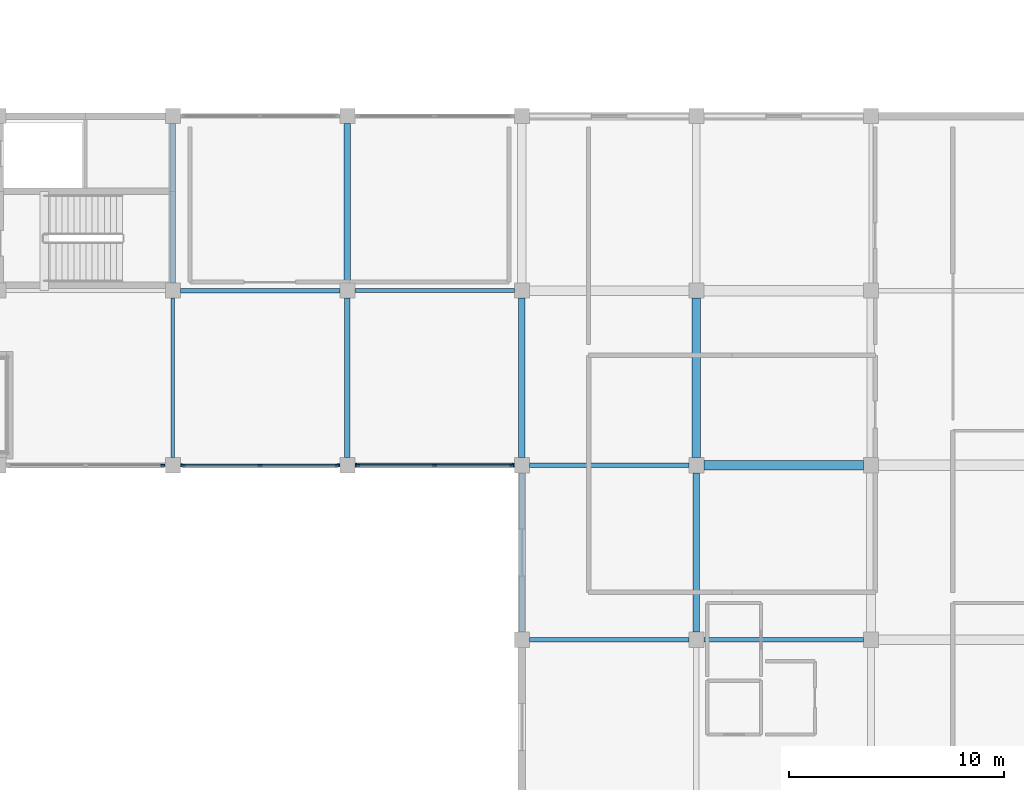
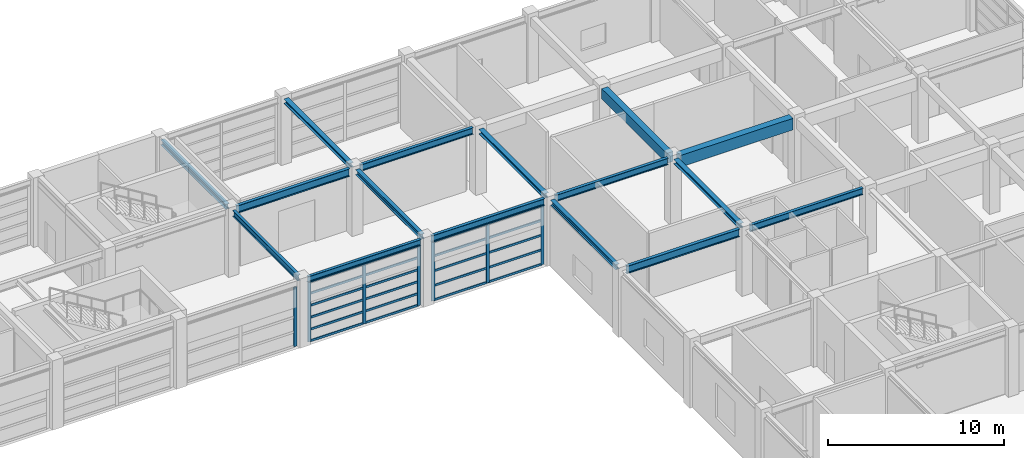
# One storey, part 27 of 56: 29 members, 16 beams, 3 elements without a shape of their own.
"""IFC4 building model written with IfcOpenShell, lengths in metres."""

from ifc_helpers import new_model, si_unit, direction, frame, origin, origin_2d, place, context, subcontext, project, spatial, rectangle, i_section, extrude, material, material_profile, profile_set, type_object, element, aggregate, save


model = new_model("IFC4")

# Units and contexts
model_context = context("Model", 3, precision=1e-05, world=origin(), true_north=direction((0.0, 1.0)))
body_context = subcontext(model_context, "Body", "Model", "MODEL_VIEW")
ifc_project = project(units=[si_unit("LENGTHUNIT", "METRE"), si_unit("AREAUNIT", "SQUARE_METRE"), si_unit("VOLUMEUNIT", "CUBIC_METRE"), si_unit("PLANEANGLEUNIT", "RADIAN"), si_unit("MASSUNIT", "GRAM", prefix="KILO")], contexts=[model_context])

# Site, building, storey
site_placement = place(None, origin())
site = spatial("IfcSite", under=ifc_project, at=site_placement, CompositionType="ELEMENT")
building_placement = place(site_placement, origin())
building = spatial("IfcBuilding", under=site, at=building_placement, Name="Parian Resonance Hall", CompositionType="ELEMENT")
storey_placement = place(building_placement, frame((0.0, 0.0, 5.39990234375)))
storey = spatial("IfcBuildingStorey", under=building, at=storey_placement, Name="L01", CompositionType="ELEMENT", Elevation=5.39990234375)

# Beams
ifc_material_1 = material(Name="Concrete C40/50", Category="concrete")
ifc_material_profile_1 = material_profile(ifc_material_1, rectangle(XDim=0.39990234375, YDim=0.699951171875, at=origin_2d()), Name="RC-BM-400x700")
ifc_profile_set_1 = profile_set([ifc_material_profile_1], Name="Concrete C40/50")
beam_type_1 = type_object("IfcBeamType", Name="BM-RC400x700", PredefinedType="BEAM", material=ifc_profile_set_1)
beam_1_placement = place(storey_placement, frame((121.5, 73.25, 4.18017578125), z_axis=(0.0, 1.0, 0.0), x_axis=(-1.0, 0.0, 0.0)))
element("IfcBeam", 1, at=beam_1_placement, inside=storey, type_object=beam_type_1, Name="GY-L01-0641", PredefinedType="BEAM", context=body_context, shape_type="SweptSolid", body=[
    extrude(rectangle(XDim=0.39990234375, YDim=0.699951171875, at=origin_2d()), origin(), (0.0, 0.0, 1.0), 7.39990234375),
])
ifc_material_2 = material(Name="Concrete C40/50", Category="concrete")
ifc_material_profile_2 = material_profile(ifc_material_2, rectangle(XDim=0.449951171875, YDim=0.800048828125, at=origin_2d()), Name="RC-BM-450x800")
ifc_profile_set_2 = profile_set([ifc_material_profile_2], Name="Concrete C40/50")
beam_type_2 = type_object("IfcBeamType", Name="BM-RC450x800", PredefinedType="USERDEFINED", material=ifc_profile_set_2)
beam_2_placement = place(storey_placement, frame((121.85009765625, 72.89990234375, 4.130126953125), z_axis=(1.0, 0.0, 0.0), x_axis=(0.0, 1.0, 0.0)))
element("IfcBeam", 2, at=beam_2_placement, inside=storey, type_object=beam_type_2, Name="GX-L01-0578", ObjectType="GIRDER", PredefinedType="USERDEFINED", context=body_context, shape_type="SweptSolid", body=[
    extrude(rectangle(XDim=0.449951171875, YDim=0.800048828125, at=origin_2d()), origin(), (0.0, 0.0, 1.0), 7.39990234375),
])
ifc_material_3 = material(Name="Steel S355", Category="steel")
ifc_material_profile_3 = material_profile(ifc_material_3, i_section(OverallWidth=0.304931640625, OverallDepth=0.30810546875, WebThickness=0.010009765625, FlangeThickness=0.015380859375, FilletRadius=0.01513671875, at=origin_2d()), Name="W310x97")
ifc_profile_set_3 = profile_set([ifc_material_profile_3], Name="Steel S355")
beam_type_3 = type_object("IfcBeamType", Name="BM-W310x97", PredefinedType="BEAM", material=ifc_profile_set_3)
for number, where, z_axis, x_axis, name in (
    (3, (105.300048828125, 81.35009765625, 4.406005859375), (0.0, 1.0, 0.0), (-1.0, 0.0, 0.0), "GY-L01-0622"),
    (4, (113.39990234375, 73.25, 4.3759765625), (0.0, 1.0, 0.0), (-1.0, 0.0, 0.0), "GY-L01-0632"),
):
    element("IfcBeam", number, at=place(storey_placement, frame(where, z_axis=z_axis, x_axis=x_axis)), inside=storey, type_object=beam_type_3, Name=name, PredefinedType="BEAM", context=body_context, shape_type="SweptSolid", body=[
        extrude(i_section(OverallWidth=0.304931640625, OverallDepth=0.30810546875, WebThickness=0.010009765625, FlangeThickness=0.015380859375, FilletRadius=0.01513671875, at=origin_2d()), origin(), (0.0, 0.0, 1.0), 7.39990234375),
    ])
beam_3_placement = place(storey_placement, frame((121.5, 65.14990234375, 4.3759765625), z_axis=(0.0, 1.0, 0.0), x_axis=(-1.0, 0.0, 0.0)))
element("IfcBeam", 5, at=beam_3_placement, inside=storey, type_object=beam_type_3, Name="GY-L01-0640", PredefinedType="BEAM", context=body_context, shape_type="SweptSolid", body=[
    extrude(i_section(OverallWidth=0.304931640625, OverallDepth=0.30810546875, WebThickness=0.010009765625, FlangeThickness=0.015380859375, FilletRadius=0.01513671875, at=origin_2d()), origin(), (0.0, 0.0, 1.0), 7.400146484375),
])
ifc_material_4 = material(Name="Steel S355", Category="steel")
ifc_material_profile_4 = material_profile(ifc_material_4, i_section(OverallWidth=0.2548828125, OverallDepth=0.35693359375, WebThickness=0.010498046875, FlangeThickness=0.018310546875, FilletRadius=0.01513671875, at=origin_2d()), Name="W360x101")
ifc_profile_set_4 = profile_set([ifc_material_profile_4], Name="Steel S355")
beam_type_4 = type_object("IfcBeamType", Name="BM-W360x101", PredefinedType="SPANDREL", material=ifc_profile_set_4)
for number, where, z_axis, x_axis, name in (
    (6, (97.199951171875, 81.35009765625, 4.381591796875), (0.0, 1.0, 0.0), (-1.0, 0.0, 0.0), "GY-L01-0617"),
    (7, (105.300048828125, 73.25, 4.381591796875), (0.0, 1.0, 0.0), (-1.0, 0.0, 0.0), "GY-L01-0621"),
):
    element("IfcBeam", number, at=place(storey_placement, frame(where, z_axis=z_axis, x_axis=x_axis)), inside=storey, type_object=beam_type_4, Name=name, PredefinedType="SPANDREL", context=body_context, shape_type="SweptSolid", body=[
        extrude(i_section(OverallWidth=0.2548828125, OverallDepth=0.35693359375, WebThickness=0.010498046875, FlangeThickness=0.018310546875, FilletRadius=0.01513671875, at=origin_2d()), origin(), (0.0, 0.0, 1.0), 7.39990234375),
    ])
beam_4_placement = place(storey_placement, frame((113.39990234375, 65.14990234375, 4.3515625), z_axis=(0.0, 1.0, 0.0), x_axis=(-1.0, 0.0, 0.0)))
element("IfcBeam", 8, at=beam_4_placement, inside=storey, type_object=beam_type_4, Name="GY-L01-0631", PredefinedType="SPANDREL", context=body_context, shape_type="SweptSolid", body=[
    extrude(i_section(OverallWidth=0.2548828125, OverallDepth=0.35693359375, WebThickness=0.010498046875, FlangeThickness=0.018310546875, FilletRadius=0.01513671875, at=origin_2d()), origin(), (0.0, 0.0, 1.0), 7.400146484375),
])
ifc_material_5 = material(Name="Steel S355", Category="steel")
ifc_material_profile_5 = material_profile(ifc_material_5, i_section(OverallWidth=0.180908203125, OverallDepth=0.4169921875, WebThickness=0.010986328125, FlangeThickness=0.018310546875, FilletRadius=0.01513671875, at=origin_2d()), Name="W410x85")
ifc_profile_set_5 = profile_set([ifc_material_profile_5], Name="Steel S355")
beam_type_5 = type_object("IfcBeamType", Name="BM-W410x85", PredefinedType="SPANDREL", material=ifc_profile_set_5)
for number, where, z_axis, x_axis, name in (
    (9, (97.550048828125, 72.89990234375, 4.3515625), (1.0, 0.0, 0.0), (0.0, 1.0, 0.0), "GX-L01-0555"),
    (10, (97.199951171875, 73.25, 4.3515625), (0.0, 1.0, 0.0), (-1.0, 0.0, 0.0), "GY-L01-0616"),
):
    element("IfcBeam", number, at=place(storey_placement, frame(where, z_axis=z_axis, x_axis=x_axis)), inside=storey, type_object=beam_type_5, Name=name, PredefinedType="SPANDREL", context=body_context, shape_type="SweptSolid", body=[
        extrude(i_section(OverallWidth=0.180908203125, OverallDepth=0.4169921875, WebThickness=0.010986328125, FlangeThickness=0.018310546875, FilletRadius=0.01513671875, at=origin_2d()), origin(), (0.0, 0.0, 1.0), 7.39990234375),
    ])
ifc_material_6 = material(Name="Steel S355", Category="steel")
ifc_material_profile_6 = material_profile(ifc_material_6, i_section(OverallWidth=0.194091796875, OverallDepth=0.468994140625, WebThickness=0.0126953125, FlangeThickness=0.0205078125, FilletRadius=0.01513671875, at=origin_2d()), Name="W460x106")
ifc_profile_set_6 = profile_set([ifc_material_profile_6], Name="Steel S355")
beam_type_6 = type_object("IfcBeamType", Name="BM-W460x106", PredefinedType="SPANDREL", material=ifc_profile_set_6)
beam_5_placement = place(storey_placement, frame((105.64990234375, 72.89990234375, 4.32568359375), z_axis=(1.0, 0.0, 0.0), x_axis=(0.0, 1.0, 0.0)))
element("IfcBeam", 11, at=beam_5_placement, inside=storey, type_object=beam_type_6, Name="GX-L01-0562", PredefinedType="SPANDREL", context=body_context, shape_type="SweptSolid", body=[
    extrude(i_section(OverallWidth=0.194091796875, OverallDepth=0.468994140625, WebThickness=0.0126953125, FlangeThickness=0.0205078125, FilletRadius=0.01513671875, at=origin_2d()), origin(), (0.0, 0.0, 1.0), 7.400146484375),
])
ifc_material_7 = material(Name="Steel S355", Category="steel")
ifc_material_profile_7 = material_profile(ifc_material_7, i_section(OverallWidth=0.19091796875, OverallDepth=0.4599609375, WebThickness=0.010009765625, FlangeThickness=0.01611328125, FilletRadius=0.01513671875, at=origin_2d()), Name="W460x82")
ifc_profile_set_7 = profile_set([ifc_material_profile_7], Name="Steel S355")
beam_type_7 = type_object("IfcBeamType", Name="BM-W460x82", PredefinedType="BEAM", material=ifc_profile_set_7)
beam_6_placement = place(storey_placement, frame((105.64990234375, 81.0, 4.330078125), z_axis=(1.0, 0.0, 0.0), x_axis=(0.0, 1.0, 0.0)))
element("IfcBeam", 12, at=beam_6_placement, inside=storey, type_object=beam_type_7, Name="GX-L01-0563", PredefinedType="BEAM", context=body_context, shape_type="SweptSolid", body=[
    extrude(i_section(OverallWidth=0.19091796875, OverallDepth=0.4599609375, WebThickness=0.010009765625, FlangeThickness=0.01611328125, FilletRadius=0.01513671875, at=origin_2d()), origin(), (0.0, 0.0, 1.0), 7.400146484375),
])
for number, where, z_axis, x_axis, name in (
    (13, (113.75, 72.89990234375, 4.300048828125), (1.0, 0.0, 0.0), (0.0, 1.0, 0.0), "GX-L01-0572"),
    (14, (121.85009765625, 64.800048828125, 4.300048828125), (1.0, 0.0, 0.0), (0.0, 1.0, 0.0), "GX-L01-0577"),
):
    element("IfcBeam", number, at=place(storey_placement, frame(where, z_axis=z_axis, x_axis=x_axis)), inside=storey, type_object=beam_type_7, Name=name, PredefinedType="BEAM", context=body_context, shape_type="SweptSolid", body=[
        extrude(i_section(OverallWidth=0.19091796875, OverallDepth=0.4599609375, WebThickness=0.010009765625, FlangeThickness=0.01611328125, FilletRadius=0.01513671875, at=origin_2d()), origin(), (0.0, 0.0, 1.0), 7.39990234375),
    ])
ifc_material_8 = material(Name="Steel S355", Category="steel")
ifc_material_profile_8 = material_profile(ifc_material_8, i_section(OverallWidth=0.208984375, OverallDepth=0.532958984375, WebThickness=0.01025390625, FlangeThickness=0.015625, FilletRadius=0.017822265625, at=origin_2d()), Name="W530x92")
ifc_profile_set_8 = profile_set([ifc_material_profile_8], Name="Steel S355")
beam_type_8 = type_object("IfcBeamType", Name="BM-W530x92", PredefinedType="BEAM", material=ifc_profile_set_8)
for number, where, z_axis, x_axis, name in (
    (15, (97.550048828125, 81.0, 4.293701171875), (1.0, 0.0, 0.0), (0.0, 1.0, 0.0), "GX-L01-0556"),
    (16, (113.75, 64.800048828125, 4.263671875), (1.0, 0.0, 0.0), (0.0, 1.0, 0.0), "GX-L01-0571"),
):
    element("IfcBeam", number, at=place(storey_placement, frame(where, z_axis=z_axis, x_axis=x_axis)), inside=storey, type_object=beam_type_8, Name=name, PredefinedType="BEAM", context=body_context, shape_type="SweptSolid", body=[
        extrude(i_section(OverallWidth=0.208984375, OverallDepth=0.532958984375, WebThickness=0.01025390625, FlangeThickness=0.015625, FilletRadius=0.017822265625, at=origin_2d()), origin(), (0.0, 0.0, 1.0), 7.39990234375),
    ])

# Curtain wall, member
ifc_material_9 = material(Name="Bronze-anodised aluminium frame", Category="aluminium")
curtain_wall_type_1 = type_object("IfcCurtainWallType", Name="CW-SYS-02", PredefinedType="NOTDEFINED", material=ifc_material_9)
curtain_wall_1_placement = place(storey_placement, origin())
curtain_wall_1 = element("IfcCurtainWall", 17, at=curtain_wall_1_placement, inside=storey, type_object=curtain_wall_type_1, Name="Curtain wall CW-L01-118", PredefinedType="NOTDEFINED")
ifc_material_10 = material(Name="Bronze-anodised aluminium frame", Category="aluminium")
ifc_material_profile_9 = material_profile(ifc_material_10, rectangle(XDim=0.074951171875, YDim=0.199951171875, at=origin_2d()), Name="CWM-75x200")
ifc_profile_set_9 = profile_set([ifc_material_profile_9], Name="Bronze-anodised aluminium frame")
member_type_1 = type_object("IfcMemberType", Name="CWM-75x200", PredefinedType="MULLION", material=ifc_profile_set_9)
member_1_placement = place(storey_placement, frame((96.732421875, 72.89990234375, -0.0078125), z_axis=(0.0, 0.0, 1.0), x_axis=(0.0, -1.0, 0.0)))
member_1 = element("IfcMember", 18, at=member_1_placement, type_object=member_type_1, Name="CW-02 mullion 1", PredefinedType="MULLION", context=body_context, shape_type="SweptSolid", body=[
    extrude(rectangle(XDim=0.074951171875, YDim=0.199951171875, at=origin_2d()), origin(), (0.0, 0.0, 1.0), 4.10302734375),
])
aggregate(curtain_wall_1, [member_1])

# Curtain wall, members
ifc_material_11 = material(Name="Bronze-anodised aluminium frame", Category="aluminium")
curtain_wall_type_2 = type_object("IfcCurtainWallType", Name="CW-SYS-03", PredefinedType="NOTDEFINED", material=ifc_material_11)
curtain_wall_2_placement = place(storey_placement, origin())
curtain_wall_2 = element("IfcCurtainWall", 19, at=curtain_wall_2_placement, inside=storey, type_object=curtain_wall_type_2, Name="Curtain wall CW-L01-124", PredefinedType="NOTDEFINED")
member_2_placement = place(storey_placement, frame((104.83251953125, 72.89990234375, -0.0078125), z_axis=(0.0, 0.0, 1.0), x_axis=(0.0, -1.0, 0.0)))
member_2 = element("IfcMember", 20, at=member_2_placement, type_object=member_type_1, Name="CW-03 mullion 1", PredefinedType="MULLION", context=body_context, shape_type="SweptSolid", body=[
    extrude(rectangle(XDim=0.074951171875, YDim=0.199951171875, at=origin_2d()), origin(), (0.0, 0.0, 1.0), 4.155029296875),
])
member_3_placement = place(storey_placement, frame((101.25, 72.89990234375, -0.0078125), z_axis=(0.0, 0.0, 1.0), x_axis=(0.0, -1.0, 0.0)))
member_3 = element("IfcMember", 21, at=member_3_placement, type_object=member_type_1, Name="CW-03 mullion 2", PredefinedType="MULLION", context=body_context, shape_type="SweptSolid", body=[
    extrude(rectangle(XDim=0.074951171875, YDim=0.199951171875, at=origin_2d()), origin(), (0.0, 0.0, 1.0), 4.155029296875),
])
member_4_placement = place(storey_placement, frame((97.66748046875, 72.89990234375, -0.0078125), z_axis=(0.0, 0.0, 1.0), x_axis=(0.0, -1.0, 0.0)))
member_4 = element("IfcMember", 22, at=member_4_placement, type_object=member_type_1, Name="CW-03 mullion 3", PredefinedType="MULLION", context=body_context, shape_type="SweptSolid", body=[
    extrude(rectangle(XDim=0.074951171875, YDim=0.199951171875, at=origin_2d()), origin(), (0.0, 0.0, 1.0), 4.155029296875),
])

ifc_material_12 = material(Name="Bronze-anodised aluminium frame", Category="aluminium")
curtain_wall_type_3 = type_object("IfcCurtainWallType", Name="CW-SYS-04", PredefinedType="NOTDEFINED", material=ifc_material_12)
curtain_wall_3_placement = place(storey_placement, origin())
curtain_wall_3 = element("IfcCurtainWall", 23, at=curtain_wall_3_placement, inside=storey, type_object=curtain_wall_type_3, Name="Curtain wall CW-L01-128", PredefinedType="NOTDEFINED")
member_5_placement = place(storey_placement, frame((112.9326171875, 72.89990234375, -0.0078125), z_axis=(0.0, 0.0, 1.0), x_axis=(0.0, -1.0, 0.0)))
member_5 = element("IfcMember", 24, at=member_5_placement, type_object=member_type_1, Name="CW-04 mullion 1", PredefinedType="MULLION", context=body_context, shape_type="SweptSolid", body=[
    extrude(rectangle(XDim=0.074951171875, YDim=0.199951171875, at=origin_2d()), origin(), (0.0, 0.0, 1.0), 4.10302734375),
])
member_6_placement = place(storey_placement, frame((109.35009765625, 72.89990234375, -0.0078125), z_axis=(0.0, 0.0, 1.0), x_axis=(0.0, -1.0, 0.0)))
member_6 = element("IfcMember", 25, at=member_6_placement, type_object=member_type_1, Name="CW-04 mullion 2", PredefinedType="MULLION", context=body_context, shape_type="SweptSolid", body=[
    extrude(rectangle(XDim=0.074951171875, YDim=0.199951171875, at=origin_2d()), origin(), (0.0, 0.0, 1.0), 4.10302734375),
])
member_7_placement = place(storey_placement, frame((105.767578125, 72.89990234375, -0.0078125), z_axis=(0.0, 0.0, 1.0), x_axis=(0.0, -1.0, 0.0)))
member_7 = element("IfcMember", 26, at=member_7_placement, type_object=member_type_1, Name="CW-04 mullion 3", PredefinedType="MULLION", context=body_context, shape_type="SweptSolid", body=[
    extrude(rectangle(XDim=0.074951171875, YDim=0.199951171875, at=origin_2d()), origin(), (0.0, 0.0, 1.0), 4.10302734375),
])

# Member
ifc_material_13 = material(Name="Bronze-anodised aluminium frame", Category="aluminium")
ifc_material_profile_10 = material_profile(ifc_material_13, rectangle(XDim=0.074951171875, YDim=0.14990234375, at=origin_2d()), Name="CWT-75x150")
ifc_profile_set_10 = profile_set([ifc_material_profile_10], Name="Bronze-anodised aluminium frame")
member_type_2 = type_object("IfcMemberType", Name="CWT-75x150", PredefinedType="USERDEFINED", material=ifc_profile_set_10)
member_8_placement = place(storey_placement, frame((104.794921875, 72.89990234375, 0.029541015625), z_axis=(-1.0, 0.0, 0.0), x_axis=(0.0, -1.0, 0.0)))
member_8 = element("IfcMember", 27, at=member_8_placement, type_object=member_type_2, Name="CW-03 transom 1.1", ObjectType="TRANSOM", PredefinedType="USERDEFINED", context=body_context, shape_type="SweptSolid", body=[
    extrude(rectangle(XDim=0.074951171875, YDim=0.14990234375, at=origin_2d()), origin(), (0.0, 0.0, 1.0), 3.50732421875),
])

member_9_placement = place(storey_placement, frame((104.794921875, 72.89990234375, 0.827392578125), z_axis=(-1.0, 0.0, 0.0), x_axis=(0.0, -1.0, 0.0)))
member_9 = element("IfcMember", 28, at=member_9_placement, type_object=member_type_2, Name="CW-03 transom 1.2", ObjectType="TRANSOM", PredefinedType="USERDEFINED", context=body_context, shape_type="SweptSolid", body=[
    extrude(rectangle(XDim=0.074951171875, YDim=0.14990234375, at=origin_2d()), origin(), (0.0, 0.0, 1.0), 3.50732421875),
])

member_10_placement = place(storey_placement, frame((104.794921875, 72.89990234375, 1.65478515625), z_axis=(-1.0, 0.0, 0.0), x_axis=(0.0, -1.0, 0.0)))
member_10 = element("IfcMember", 29, at=member_10_placement, type_object=member_type_2, Name="CW-03 transom 1.3", ObjectType="TRANSOM", PredefinedType="USERDEFINED", context=body_context, shape_type="SweptSolid", body=[
    extrude(rectangle(XDim=0.074951171875, YDim=0.14990234375, at=origin_2d()), origin(), (0.0, 0.0, 1.0), 3.50732421875),
])

member_11_placement = place(storey_placement, frame((104.794921875, 72.89990234375, 2.482177734375), z_axis=(-1.0, 0.0, 0.0), x_axis=(0.0, -1.0, 0.0)))
member_11 = element("IfcMember", 30, at=member_11_placement, type_object=member_type_2, Name="CW-03 transom 1.4", ObjectType="TRANSOM", PredefinedType="USERDEFINED", context=body_context, shape_type="SweptSolid", body=[
    extrude(rectangle(XDim=0.074951171875, YDim=0.14990234375, at=origin_2d()), origin(), (0.0, 0.0, 1.0), 3.50732421875),
])

member_12_placement = place(storey_placement, frame((104.794921875, 72.89990234375, 3.309814453125), z_axis=(-1.0, 0.0, 0.0), x_axis=(0.0, -1.0, 0.0)))
member_12 = element("IfcMember", 31, at=member_12_placement, type_object=member_type_2, Name="CW-03 transom 1.5", ObjectType="TRANSOM", PredefinedType="USERDEFINED", context=body_context, shape_type="SweptSolid", body=[
    extrude(rectangle(XDim=0.074951171875, YDim=0.14990234375, at=origin_2d()), origin(), (0.0, 0.0, 1.0), 3.50732421875),
])

member_13_placement = place(storey_placement, frame((104.794921875, 72.89990234375, 4.109619140625), z_axis=(-1.0, 0.0, 0.0), x_axis=(0.0, -1.0, 0.0)))
member_13 = element("IfcMember", 32, at=member_13_placement, type_object=member_type_2, Name="CW-03 transom 1.6", ObjectType="TRANSOM", PredefinedType="USERDEFINED", context=body_context, shape_type="SweptSolid", body=[
    extrude(rectangle(XDim=0.074951171875, YDim=0.14990234375, at=origin_2d()), origin(), (0.0, 0.0, 1.0), 3.50732421875),
])

member_14_placement = place(storey_placement, frame((101.21240234375, 72.89990234375, 0.029541015625), z_axis=(-1.0, 0.0, 0.0), x_axis=(0.0, -1.0, 0.0)))
member_14 = element("IfcMember", 33, at=member_14_placement, type_object=member_type_2, Name="CW-03 transom 2.1", ObjectType="TRANSOM", PredefinedType="USERDEFINED", context=body_context, shape_type="SweptSolid", body=[
    extrude(rectangle(XDim=0.074951171875, YDim=0.14990234375, at=origin_2d()), origin(), (0.0, 0.0, 1.0), 3.50732421875),
])

member_15_placement = place(storey_placement, frame((101.21240234375, 72.89990234375, 0.827392578125), z_axis=(-1.0, 0.0, 0.0), x_axis=(0.0, -1.0, 0.0)))
member_15 = element("IfcMember", 34, at=member_15_placement, type_object=member_type_2, Name="CW-03 transom 2.2", ObjectType="TRANSOM", PredefinedType="USERDEFINED", context=body_context, shape_type="SweptSolid", body=[
    extrude(rectangle(XDim=0.074951171875, YDim=0.14990234375, at=origin_2d()), origin(), (0.0, 0.0, 1.0), 3.50732421875),
])

member_16_placement = place(storey_placement, frame((101.21240234375, 72.89990234375, 1.65478515625), z_axis=(-1.0, 0.0, 0.0), x_axis=(0.0, -1.0, 0.0)))
member_16 = element("IfcMember", 35, at=member_16_placement, type_object=member_type_2, Name="CW-03 transom 2.3", ObjectType="TRANSOM", PredefinedType="USERDEFINED", context=body_context, shape_type="SweptSolid", body=[
    extrude(rectangle(XDim=0.074951171875, YDim=0.14990234375, at=origin_2d()), origin(), (0.0, 0.0, 1.0), 3.50732421875),
])

member_17_placement = place(storey_placement, frame((101.21240234375, 72.89990234375, 2.482177734375), z_axis=(-1.0, 0.0, 0.0), x_axis=(0.0, -1.0, 0.0)))
member_17 = element("IfcMember", 36, at=member_17_placement, type_object=member_type_2, Name="CW-03 transom 2.4", ObjectType="TRANSOM", PredefinedType="USERDEFINED", context=body_context, shape_type="SweptSolid", body=[
    extrude(rectangle(XDim=0.074951171875, YDim=0.14990234375, at=origin_2d()), origin(), (0.0, 0.0, 1.0), 3.50732421875),
])

member_18_placement = place(storey_placement, frame((101.21240234375, 72.89990234375, 3.309814453125), z_axis=(-1.0, 0.0, 0.0), x_axis=(0.0, -1.0, 0.0)))
member_18 = element("IfcMember", 37, at=member_18_placement, type_object=member_type_2, Name="CW-03 transom 2.5", ObjectType="TRANSOM", PredefinedType="USERDEFINED", context=body_context, shape_type="SweptSolid", body=[
    extrude(rectangle(XDim=0.074951171875, YDim=0.14990234375, at=origin_2d()), origin(), (0.0, 0.0, 1.0), 3.50732421875),
])

member_19_placement = place(storey_placement, frame((101.21240234375, 72.89990234375, 4.109619140625), z_axis=(-1.0, 0.0, 0.0), x_axis=(0.0, -1.0, 0.0)))
member_19 = element("IfcMember", 38, at=member_19_placement, type_object=member_type_2, Name="CW-03 transom 2.6", ObjectType="TRANSOM", PredefinedType="USERDEFINED", context=body_context, shape_type="SweptSolid", body=[
    extrude(rectangle(XDim=0.074951171875, YDim=0.14990234375, at=origin_2d()), origin(), (0.0, 0.0, 1.0), 3.50732421875),
])

aggregate(curtain_wall_2, [member_2, member_3, member_4, member_8, member_9, member_10, member_11, member_12, member_13, member_14, member_15, member_16, member_17, member_18, member_19])

member_20_placement = place(storey_placement, frame((112.89501953125, 72.89990234375, 0.029541015625), z_axis=(-1.0, 0.0, 0.0), x_axis=(0.0, -1.0, 0.0)))
member_20 = element("IfcMember", 39, at=member_20_placement, type_object=member_type_2, Name="CW-04 transom 1.1", ObjectType="TRANSOM", PredefinedType="USERDEFINED", context=body_context, shape_type="SweptSolid", body=[
    extrude(rectangle(XDim=0.074951171875, YDim=0.14990234375, at=origin_2d()), origin(), (0.0, 0.0, 1.0), 3.507568359375),
])

member_21_placement = place(storey_placement, frame((112.89501953125, 72.89990234375, 1.021484375), z_axis=(-1.0, 0.0, 0.0), x_axis=(0.0, -1.0, 0.0)))
member_21 = element("IfcMember", 40, at=member_21_placement, type_object=member_type_2, Name="CW-04 transom 1.2", ObjectType="TRANSOM", PredefinedType="USERDEFINED", context=body_context, shape_type="SweptSolid", body=[
    extrude(rectangle(XDim=0.074951171875, YDim=0.14990234375, at=origin_2d()), origin(), (0.0, 0.0, 1.0), 3.507568359375),
])

member_22_placement = place(storey_placement, frame((112.89501953125, 72.89990234375, 2.04248046875), z_axis=(-1.0, 0.0, 0.0), x_axis=(0.0, -1.0, 0.0)))
member_22 = element("IfcMember", 41, at=member_22_placement, type_object=member_type_2, Name="CW-04 transom 1.3", ObjectType="TRANSOM", PredefinedType="USERDEFINED", context=body_context, shape_type="SweptSolid", body=[
    extrude(rectangle(XDim=0.074951171875, YDim=0.14990234375, at=origin_2d()), origin(), (0.0, 0.0, 1.0), 3.507568359375),
])

member_23_placement = place(storey_placement, frame((112.89501953125, 72.89990234375, 3.063720703125), z_axis=(-1.0, 0.0, 0.0), x_axis=(0.0, -1.0, 0.0)))
member_23 = element("IfcMember", 42, at=member_23_placement, type_object=member_type_2, Name="CW-04 transom 1.4", ObjectType="TRANSOM", PredefinedType="USERDEFINED", context=body_context, shape_type="SweptSolid", body=[
    extrude(rectangle(XDim=0.074951171875, YDim=0.14990234375, at=origin_2d()), origin(), (0.0, 0.0, 1.0), 3.507568359375),
])

member_24_placement = place(storey_placement, frame((112.89501953125, 72.89990234375, 4.0576171875), z_axis=(-1.0, 0.0, 0.0), x_axis=(0.0, -1.0, 0.0)))
member_24 = element("IfcMember", 43, at=member_24_placement, type_object=member_type_2, Name="CW-04 transom 1.5", ObjectType="TRANSOM", PredefinedType="USERDEFINED", context=body_context, shape_type="SweptSolid", body=[
    extrude(rectangle(XDim=0.074951171875, YDim=0.14990234375, at=origin_2d()), origin(), (0.0, 0.0, 1.0), 3.507568359375),
])

member_25_placement = place(storey_placement, frame((109.3125, 72.89990234375, 0.029541015625), z_axis=(-1.0, 0.0, 0.0), x_axis=(0.0, -1.0, 0.0)))
member_25 = element("IfcMember", 44, at=member_25_placement, type_object=member_type_2, Name="CW-04 transom 2.1", ObjectType="TRANSOM", PredefinedType="USERDEFINED", context=body_context, shape_type="SweptSolid", body=[
    extrude(rectangle(XDim=0.074951171875, YDim=0.14990234375, at=origin_2d()), origin(), (0.0, 0.0, 1.0), 3.507568359375),
])

member_26_placement = place(storey_placement, frame((109.3125, 72.89990234375, 1.021484375), z_axis=(-1.0, 0.0, 0.0), x_axis=(0.0, -1.0, 0.0)))
member_26 = element("IfcMember", 45, at=member_26_placement, type_object=member_type_2, Name="CW-04 transom 2.2", ObjectType="TRANSOM", PredefinedType="USERDEFINED", context=body_context, shape_type="SweptSolid", body=[
    extrude(rectangle(XDim=0.074951171875, YDim=0.14990234375, at=origin_2d()), origin(), (0.0, 0.0, 1.0), 3.507568359375),
])

member_27_placement = place(storey_placement, frame((109.3125, 72.89990234375, 2.04248046875), z_axis=(-1.0, 0.0, 0.0), x_axis=(0.0, -1.0, 0.0)))
member_27 = element("IfcMember", 46, at=member_27_placement, type_object=member_type_2, Name="CW-04 transom 2.3", ObjectType="TRANSOM", PredefinedType="USERDEFINED", context=body_context, shape_type="SweptSolid", body=[
    extrude(rectangle(XDim=0.074951171875, YDim=0.14990234375, at=origin_2d()), origin(), (0.0, 0.0, 1.0), 3.507568359375),
])

member_28_placement = place(storey_placement, frame((109.3125, 72.89990234375, 3.063720703125), z_axis=(-1.0, 0.0, 0.0), x_axis=(0.0, -1.0, 0.0)))
member_28 = element("IfcMember", 47, at=member_28_placement, type_object=member_type_2, Name="CW-04 transom 2.4", ObjectType="TRANSOM", PredefinedType="USERDEFINED", context=body_context, shape_type="SweptSolid", body=[
    extrude(rectangle(XDim=0.074951171875, YDim=0.14990234375, at=origin_2d()), origin(), (0.0, 0.0, 1.0), 3.507568359375),
])

member_29_placement = place(storey_placement, frame((109.3125, 72.89990234375, 4.0576171875), z_axis=(-1.0, 0.0, 0.0), x_axis=(0.0, -1.0, 0.0)))
member_29 = element("IfcMember", 48, at=member_29_placement, type_object=member_type_2, Name="CW-04 transom 2.5", ObjectType="TRANSOM", PredefinedType="USERDEFINED", context=body_context, shape_type="SweptSolid", body=[
    extrude(rectangle(XDim=0.074951171875, YDim=0.14990234375, at=origin_2d()), origin(), (0.0, 0.0, 1.0), 3.507568359375),
])

aggregate(curtain_wall_3, [member_5, member_6, member_7, member_20, member_21, member_22, member_23, member_24, member_25, member_26, member_27, member_28, member_29])

save(model, "model.ifc")
